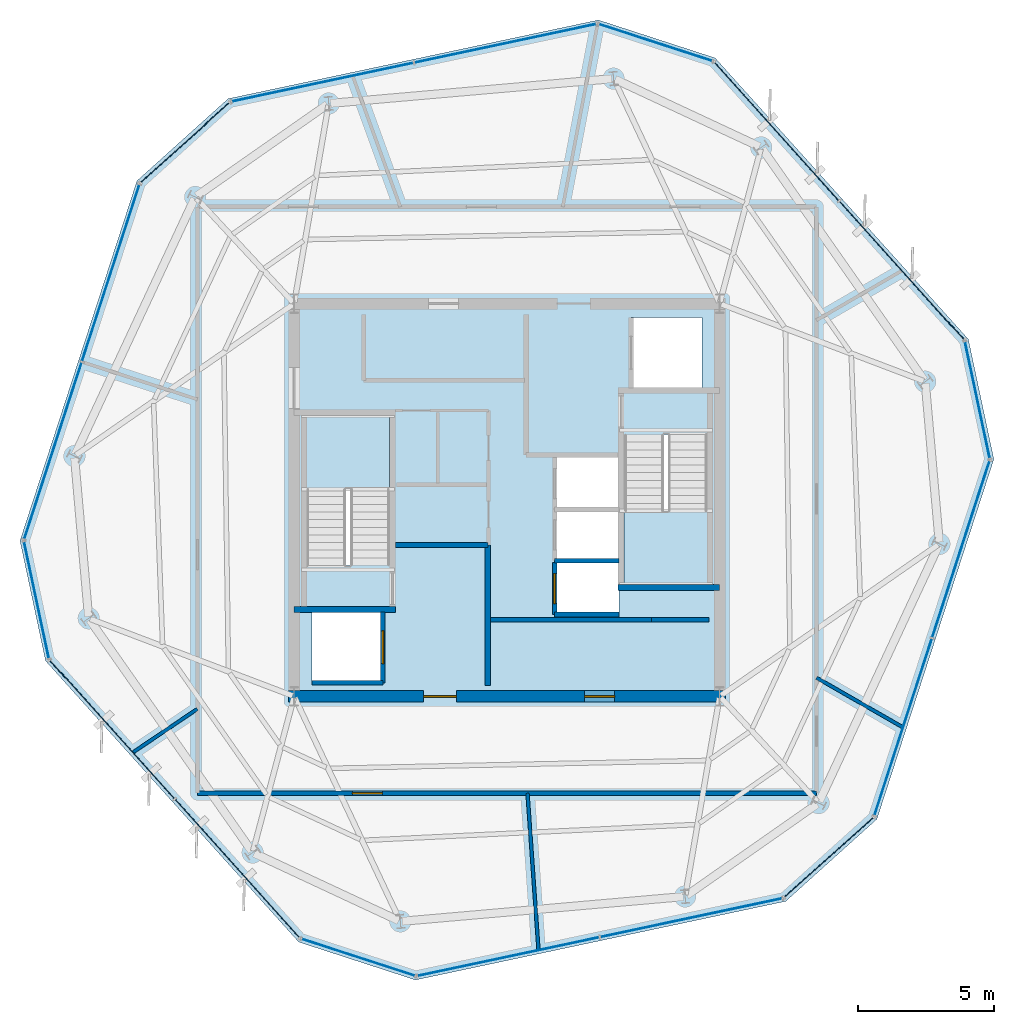
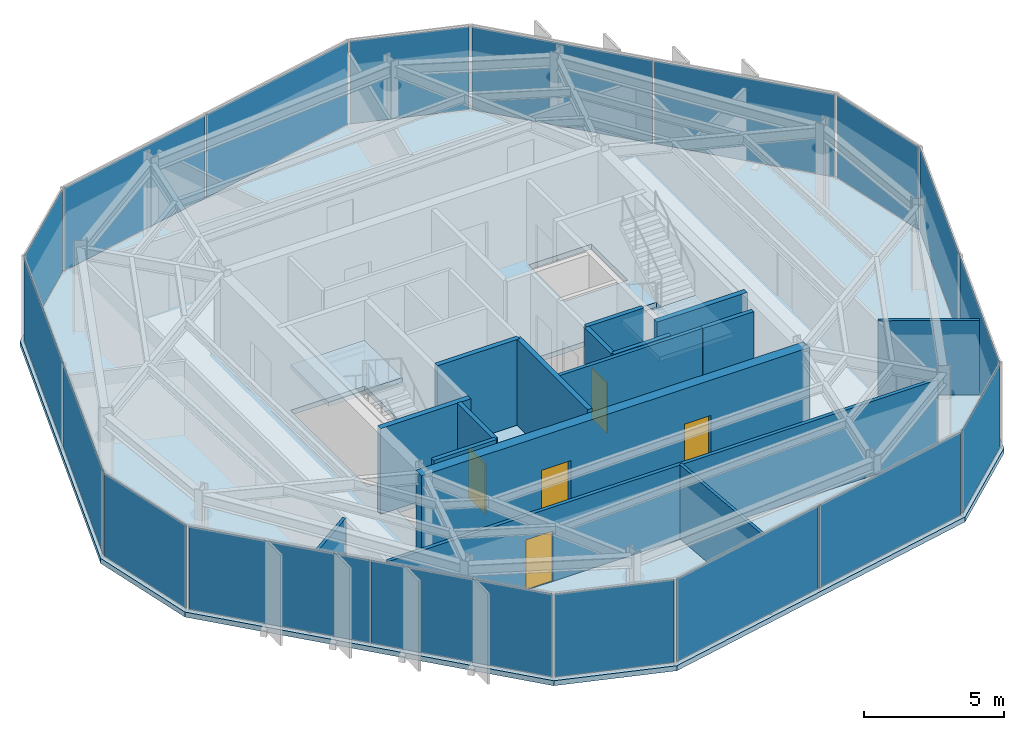
# One storey, part 7 of 13: 18 plates, 16 walls, 5 doors, 3 slabs, 5 openings, 14 elements without a shape of their own.
"""IFC4 building model written with IfcOpenShell, lengths in metres."""

from ifc_helpers import new_model, si_unit, direction, frame, frame_2d, origin, origin_2d, place, context, subcontext, project, spatial, polyline, rectangle, outline, extrude, material, layer, layer_set, type_object, element, fill, aggregate, save


model = new_model("IFC4")

# Units and contexts
model_context = context("Model", 3, precision=1e-05, world=origin(), true_north=direction((0.0, 1.0)))
body_context = subcontext(model_context, "Body", "Model", "MODEL_VIEW")
ifc_project = project(units=[si_unit("LENGTHUNIT", "METRE"), si_unit("AREAUNIT", "SQUARE_METRE"), si_unit("VOLUMEUNIT", "CUBIC_METRE"), si_unit("PLANEANGLEUNIT", "RADIAN"), si_unit("MASSUNIT", "GRAM", prefix="KILO")], contexts=[model_context])

# Site, building, storey
site_placement = place(None, origin())
site = spatial("IfcSite", under=ifc_project, at=site_placement, CompositionType="ELEMENT")
building_placement = place(site_placement, origin())
building = spatial("IfcBuilding", under=site, at=building_placement, Name="Kranzbogen Civic Tower", CompositionType="ELEMENT")
storey_placement = place(building_placement, frame((0.0, 0.0, 314.199951171875)))
storey = spatial("IfcBuildingStorey", under=building, at=storey_placement, Name="L76", CompositionType="ELEMENT", Elevation=314.199951171875)

# Slab
ifc_material_1 = material(Name="Concrete C40/50", Category="concrete")
ifc_layer_1 = layer(ifc_material_1, 0.219970703125, Name="Concrete C40/50")
ifc_layer_set_1 = layer_set([ifc_layer_1], Name="Concrete C40/50")
slab_type_1 = type_object("IfcSlabType", Name="Composite Upper Tower Floor Slab 220 mm", PredefinedType="FLOOR", material=ifc_layer_set_1)
slab_1_placement = place(storey_placement, frame((0.0, 0.0, -0.219970703125)))
element("IfcSlab", 1, at=slab_1_placement, inside=storey, type_object=slab_type_1, Name="L76 tower floor slab", PredefinedType="FLOOR", context=body_context, shape_type="SweptSolid", body=[
    extrude(outline(polyline([(28.35205078125, 42.597900390625), (14.780029296875, 39.712890625), (11.43603515625, 36.701904296875), (7.14794921875, 23.506103515625), (8.083984375, 19.10400390625), (17.367919921875, 8.79296875), (21.64794921875, 7.402099609375), (35.219970703125, 10.287109375), (38.56396484375, 13.298095703125), (42.85205078125, 26.493896484375), (41.916015625, 30.89599609375), (32.632080078125, 41.20703125), (28.35205078125, 42.597900390625)]), holes=[polyline([(17.85009765625, 20.89990234375), (20.449951171875, 20.89990234375), (20.449951171875, 18.300048828125), (17.85009765625, 18.300048828125), (17.85009765625, 20.89990234375)]), polyline([(29.10009765625, 22.699951171875), (29.10009765625, 20.800048828125), (26.75, 20.800048828125), (26.75, 22.699951171875), (29.10009765625, 22.699951171875)]), polyline([(29.10009765625, 24.64990234375), (29.10009765625, 22.77490234375), (26.75, 22.77490234375), (26.75, 24.64990234375), (26.75, 24.675048828125), (26.75, 26.550048828125), (29.10009765625, 26.550048828125), (29.10009765625, 24.675048828125), (29.10009765625, 24.64990234375)]), polyline([(29.300048828125, 27.340087890625), (30.75, 27.340087890625), (30.75, 27.39990234375), (32.35009765625, 27.39990234375), (32.35009765625, 21.89990234375), (29.300048828125, 21.89990234375), (29.300048828125, 27.340087890625)]), polyline([(20.699951171875, 22.659912109375), (19.25, 22.659912109375), (19.25, 22.60009765625), (17.64990234375, 22.60009765625), (17.64990234375, 28.10009765625), (20.699951171875, 28.10009765625), (20.699951171875, 22.659912109375)]), polyline([(32.14990234375, 31.699951171875), (32.14990234375, 29.10009765625), (29.550048828125, 29.10009765625), (29.550048828125, 31.699951171875), (32.14990234375, 31.699951171875)])]), origin(), (0.0, 0.0, 1.0), 0.219970703125),
])

# Curtain wall, plate
ifc_material_2 = material(Name="Pale Anodised Aluminium", Category="aluminium")
ifc_layer_2 = layer(ifc_material_2, 0.219970703125, Name="Pale Anodised Aluminium")
ifc_layer_set_2 = layer_set([ifc_layer_2], Name="Pale Anodised Aluminium")
curtain_wall_type_1 = type_object("IfcCurtainWallType", Name="Chamfer Facet Stick Curtain Wall System CW-06", PredefinedType="USERDEFINED", material=ifc_layer_set_2)
curtain_wall_1_placement = place(storey_placement, origin())
curtain_wall_1 = element("IfcCurtainWall", 2, at=curtain_wall_1_placement, inside=storey, type_object=curtain_wall_type_1, Name="L76 curtain wall CW-L76-C1", ObjectType="STICK CURTAIN WALL", PredefinedType="USERDEFINED")
ifc_material_3 = material(Name="Low-E Triple Glazing Glass", Category="glass")
ifc_layer_3 = layer(ifc_material_3, 0.02587890625, Name="Low-E Triple Glazing Glass")
ifc_layer_set_3 = layer_set([ifc_layer_3], Name="Low-E Triple Glazing Glass")
plate_type_1 = type_object("IfcPlateType", Name="Insulated Low-E Glazing Panel 26 mm", PredefinedType="CURTAIN_PANEL", material=ifc_layer_set_3)
plate_1_placement = place(storey_placement, frame((13.200927734375, 38.1044921875, 0.06005859375), z_axis=(0.0, 0.0, 1.0), x_axis=(-0.743205037915, -0.669063727621, 0.0)))
plate_1 = element("IfcPlate", 3, at=plate_1_placement, type_object=plate_type_1, Name="CW-06 panel 1.1", PredefinedType="CURTAIN_PANEL", context=body_context, shape_type="SweptSolid", body=[
    extrude(rectangle(XDim=4.344482421875, YDim=0.028076171875, at=origin_2d()), origin(), (0.0, 0.0, 1.0), 3.6201171875),
])
aggregate(curtain_wall_1, [plate_1])

curtain_wall_2_placement = place(storey_placement, origin())
curtain_wall_2 = element("IfcCurtainWall", 4, at=curtain_wall_2_placement, inside=storey, type_object=curtain_wall_type_1, Name="L76 curtain wall CW-L76-C2", ObjectType="STICK CURTAIN WALL", PredefinedType="USERDEFINED")
plate_2_placement = place(storey_placement, frame((7.751953125, 21.333984375, 0.06005859375), z_axis=(0.0, 0.0, 1.0), x_axis=(0.207815902792, -0.978167956205, 0.0)))
plate_2 = element("IfcPlate", 5, at=plate_2_placement, type_object=plate_type_1, Name="CW-06 panel 1.1", PredefinedType="CURTAIN_PANEL", context=body_context, shape_type="SweptSolid", body=[
    extrude(rectangle(XDim=4.345458984375, YDim=0.028076171875, at=origin_2d()), origin(), (0.0, 0.0, 1.0), 3.6201171875),
])
aggregate(curtain_wall_2, [plate_2])

curtain_wall_3_placement = place(storey_placement, origin())
curtain_wall_3 = element("IfcCurtainWall", 6, at=curtain_wall_3_placement, inside=storey, type_object=curtain_wall_type_1, Name="L76 curtain wall CW-L76-C3", ObjectType="STICK CURTAIN WALL", PredefinedType="USERDEFINED")
plate_3_placement = place(storey_placement, frame((19.551025390625, 8.22998046875, 0.06005859375), z_axis=(0.0, 0.0, 1.0), x_axis=(0.951030776673, -0.309096201564, 0.0)))
plate_3 = element("IfcPlate", 7, at=plate_3_placement, type_object=plate_type_1, Name="CW-06 panel 1.1", PredefinedType="CURTAIN_PANEL", context=body_context, shape_type="SweptSolid", body=[
    extrude(rectangle(XDim=4.3447265625, YDim=0.028076171875, at=origin_2d()), origin(), (0.0, 0.0, 1.0), 3.6201171875),
])
aggregate(curtain_wall_3, [plate_3])

curtain_wall_4_placement = place(storey_placement, origin())
curtain_wall_4 = element("IfcCurtainWall", 8, at=curtain_wall_4_placement, inside=storey, type_object=curtain_wall_type_1, Name="L76 curtain wall CW-L76-C4", ObjectType="STICK CURTAIN WALL", PredefinedType="USERDEFINED")
plate_4_placement = place(storey_placement, frame((36.799072265625, 11.8955078125, 0.06005859375), z_axis=(0.0, 0.0, 1.0), x_axis=(0.743205037915, 0.669063727621, 0.0)))
plate_4 = element("IfcPlate", 9, at=plate_4_placement, type_object=plate_type_1, Name="CW-06 panel 1.1", PredefinedType="CURTAIN_PANEL", context=body_context, shape_type="SweptSolid", body=[
    extrude(rectangle(XDim=4.344482421875, YDim=0.028076171875, at=origin_2d()), origin(), (0.0, 0.0, 1.0), 3.6201171875),
])
aggregate(curtain_wall_4, [plate_4])

curtain_wall_5_placement = place(storey_placement, origin())
curtain_wall_5 = element("IfcCurtainWall", 10, at=curtain_wall_5_placement, inside=storey, type_object=curtain_wall_type_1, Name="L76 curtain wall CW-L76-C5", ObjectType="STICK CURTAIN WALL", PredefinedType="USERDEFINED")
plate_5_placement = place(storey_placement, frame((42.248046875, 28.666015625, 0.06005859375), z_axis=(0.0, 0.0, 1.0), x_axis=(-0.207815902792, 0.978167956205, 0.0)))
plate_5 = element("IfcPlate", 11, at=plate_5_placement, type_object=plate_type_1, Name="CW-06 panel 1.1", PredefinedType="CURTAIN_PANEL", context=body_context, shape_type="SweptSolid", body=[
    extrude(rectangle(XDim=4.345458984375, YDim=0.028076171875, at=origin_2d()), origin(), (0.0, 0.0, 1.0), 3.6201171875),
])
aggregate(curtain_wall_5, [plate_5])

curtain_wall_6_placement = place(storey_placement, origin())
curtain_wall_6 = element("IfcCurtainWall", 12, at=curtain_wall_6_placement, inside=storey, type_object=curtain_wall_type_1, Name="L76 curtain wall CW-L76-C6", ObjectType="STICK CURTAIN WALL", PredefinedType="USERDEFINED")
plate_6_placement = place(storey_placement, frame((30.448974609375, 41.77001953125, 0.06005859375), z_axis=(0.0, 0.0, 1.0), x_axis=(-0.951030776673, 0.309096201564, 0.0)))
plate_6 = element("IfcPlate", 13, at=plate_6_placement, type_object=plate_type_1, Name="CW-06 panel 1.1", PredefinedType="CURTAIN_PANEL", context=body_context, shape_type="SweptSolid", body=[
    extrude(rectangle(XDim=4.3447265625, YDim=0.028076171875, at=origin_2d()), origin(), (0.0, 0.0, 1.0), 3.6201171875),
])
aggregate(curtain_wall_6, [plate_6])

# Curtain wall, plates
ifc_layer_4 = layer(ifc_material_2, 0.219970703125, Name="Pale Anodised Aluminium")
ifc_layer_set_4 = layer_set([ifc_layer_4], Name="Pale Anodised Aluminium")
curtain_wall_type_2 = type_object("IfcCurtainWallType", Name="Zone 4 Stick Curtain Wall System CW-05", PredefinedType="USERDEFINED", material=ifc_layer_set_4)
curtain_wall_7_placement = place(storey_placement, origin())
curtain_wall_7 = element("IfcCurtainWall", 14, at=curtain_wall_7_placement, inside=storey, type_object=curtain_wall_type_2, Name="L76 curtain wall CW-L76-F1", ObjectType="STICK CURTAIN WALL", PredefinedType="USERDEFINED")
ifc_layer_5 = layer(ifc_material_3, 0.028076171875, Name="Low-E Triple Glazing Glass")
ifc_layer_set_5 = layer_set([ifc_layer_5], Name="Low-E Triple Glazing Glass")
plate_type_2 = type_object("IfcPlateType", Name="Insulated Low-E Glazing Panel 28 mm", PredefinedType="CURTAIN_PANEL", material=ifc_layer_set_5)
plate_7_placement = place(storey_placement, frame((24.94482421875, 41.741455078125, 0.06005859375), z_axis=(0.0, 0.0, 1.0), x_axis=(-0.978151835177, -0.207891768333, 0.0)))
plate_7 = element("IfcPlate", 15, at=plate_7_placement, type_object=plate_type_2, Name="CW-05 panel 1.1", PredefinedType="CURTAIN_PANEL", context=body_context, shape_type="SweptSolid", body=[
    extrude(rectangle(XDim=6.79345703125, YDim=0.028076171875, at=origin_2d()), origin(), (0.0, 0.0, 1.0), 3.6201171875),
])
plate_8_placement = place(storey_placement, frame((18.2412109375, 40.316650390625, 0.06005859375), z_axis=(0.0, 0.0, 1.0), x_axis=(-0.978151835177, -0.207891768333, 0.0)))
plate_8 = element("IfcPlate", 16, at=plate_8_placement, type_object=plate_type_2, Name="CW-05 panel 2.1", PredefinedType="CURTAIN_PANEL", context=body_context, shape_type="SweptSolid", body=[
    extrude(rectangle(XDim=6.79345703125, YDim=0.028076171875, at=origin_2d()), origin(), (0.0, 0.0, 1.0), 3.6201171875),
])
aggregate(curtain_wall_7, [plate_7, plate_8])

curtain_wall_8_placement = place(storey_placement, origin())
curtain_wall_8 = element("IfcCurtainWall", 17, at=curtain_wall_8_placement, inside=storey, type_object=curtain_wall_type_2, Name="L76 curtain wall CW-L76-F2", ObjectType="STICK CURTAIN WALL", PredefinedType="USERDEFINED")
plate_9_placement = place(storey_placement, frame((10.473876953125, 33.323486328125, 0.06005859375), z_axis=(0.0, 0.0, 1.0), x_axis=(-0.309005589548, -0.951060221872, 0.0)))
plate_9 = element("IfcPlate", 18, at=plate_9_placement, type_object=plate_type_2, Name="CW-05 panel 1.1", PredefinedType="CURTAIN_PANEL", context=body_context, shape_type="SweptSolid", body=[
    extrude(rectangle(XDim=6.79345703125, YDim=0.028076171875, at=origin_2d()), origin(), (0.0, 0.0, 1.0), 3.6201171875),
])
plate_10_placement = place(storey_placement, frame((8.356201171875, 26.805419921875, 0.06005859375), z_axis=(0.0, 0.0, 1.0), x_axis=(-0.309005589548, -0.951060221872, 0.0)))
plate_10 = element("IfcPlate", 19, at=plate_10_placement, type_object=plate_type_2, Name="CW-05 panel 2.1", PredefinedType="CURTAIN_PANEL", context=body_context, shape_type="SweptSolid", body=[
    extrude(rectangle(XDim=6.79345703125, YDim=0.028076171875, at=origin_2d()), origin(), (0.0, 0.0, 1.0), 3.6201171875),
])
aggregate(curtain_wall_8, [plate_9, plate_10])

curtain_wall_9_placement = place(storey_placement, origin())
curtain_wall_9 = element("IfcCurtainWall", 20, at=curtain_wall_9_placement, inside=storey, type_object=curtain_wall_type_2, Name="L76 curtain wall CW-L76-F3", ObjectType="STICK CURTAIN WALL", PredefinedType="USERDEFINED")
plate_11_placement = place(storey_placement, frame((10.529052734375, 16.581298828125, 0.06005859375), z_axis=(0.0, 0.0, 1.0), x_axis=(0.669165371932, -0.743113520943, 0.0)))
plate_11 = element("IfcPlate", 21, at=plate_11_placement, type_object=plate_type_2, Name="CW-05 panel 1.1", PredefinedType="CURTAIN_PANEL", context=body_context, shape_type="SweptSolid", body=[
    extrude(rectangle(XDim=6.793212890625, YDim=0.028076171875, at=origin_2d()), origin(), (0.0, 0.0, 1.0), 3.6201171875),
])
plate_12_placement = place(storey_placement, frame((15.114990234375, 11.488525390625, 0.06005859375), z_axis=(0.0, 0.0, 1.0), x_axis=(0.669165371932, -0.743113520943, 0.0)))
plate_12 = element("IfcPlate", 22, at=plate_12_placement, type_object=plate_type_2, Name="CW-05 panel 2.1", PredefinedType="CURTAIN_PANEL", context=body_context, shape_type="SweptSolid", body=[
    extrude(rectangle(XDim=6.793212890625, YDim=0.028076171875, at=origin_2d()), origin(), (0.0, 0.0, 1.0), 3.6201171875),
])
aggregate(curtain_wall_9, [plate_11, plate_12])

curtain_wall_10_placement = place(storey_placement, origin())
curtain_wall_10 = element("IfcCurtainWall", 23, at=curtain_wall_10_placement, inside=storey, type_object=curtain_wall_type_2, Name="L76 curtain wall CW-L76-F4", ObjectType="STICK CURTAIN WALL", PredefinedType="USERDEFINED")
plate_13_placement = place(storey_placement, frame((25.05517578125, 8.258544921875, 0.06005859375), z_axis=(0.0, 0.0, 1.0), x_axis=(0.978151835177, 0.207891768333, 0.0)))
plate_13 = element("IfcPlate", 24, at=plate_13_placement, type_object=plate_type_2, Name="CW-05 panel 1.1", PredefinedType="CURTAIN_PANEL", context=body_context, shape_type="SweptSolid", body=[
    extrude(rectangle(XDim=6.79345703125, YDim=0.028076171875, at=origin_2d()), origin(), (0.0, 0.0, 1.0), 3.6201171875),
])
plate_14_placement = place(storey_placement, frame((31.7587890625, 9.683349609375, 0.06005859375), z_axis=(0.0, 0.0, 1.0), x_axis=(0.978151835177, 0.207891768333, 0.0)))
plate_14 = element("IfcPlate", 25, at=plate_14_placement, type_object=plate_type_2, Name="CW-05 panel 2.1", PredefinedType="CURTAIN_PANEL", context=body_context, shape_type="SweptSolid", body=[
    extrude(rectangle(XDim=6.79345703125, YDim=0.028076171875, at=origin_2d()), origin(), (0.0, 0.0, 1.0), 3.6201171875),
])
aggregate(curtain_wall_10, [plate_13, plate_14])

curtain_wall_11_placement = place(storey_placement, origin())
curtain_wall_11 = element("IfcCurtainWall", 26, at=curtain_wall_11_placement, inside=storey, type_object=curtain_wall_type_2, Name="L76 curtain wall CW-L76-F5", ObjectType="STICK CURTAIN WALL", PredefinedType="USERDEFINED")
plate_15_placement = place(storey_placement, frame((39.526123046875, 16.676513671875, 0.06005859375), z_axis=(0.0, 0.0, 1.0), x_axis=(0.309005589548, 0.951060221872, 0.0)))
plate_15 = element("IfcPlate", 27, at=plate_15_placement, type_object=plate_type_2, Name="CW-05 panel 1.1", PredefinedType="CURTAIN_PANEL", context=body_context, shape_type="SweptSolid", body=[
    extrude(rectangle(XDim=6.79345703125, YDim=0.028076171875, at=origin_2d()), origin(), (0.0, 0.0, 1.0), 3.6201171875),
])
plate_16_placement = place(storey_placement, frame((41.643798828125, 23.194580078125, 0.06005859375), z_axis=(0.0, 0.0, 1.0), x_axis=(0.309005589548, 0.951060221872, 0.0)))
plate_16 = element("IfcPlate", 28, at=plate_16_placement, type_object=plate_type_2, Name="CW-05 panel 2.1", PredefinedType="CURTAIN_PANEL", context=body_context, shape_type="SweptSolid", body=[
    extrude(rectangle(XDim=6.79345703125, YDim=0.028076171875, at=origin_2d()), origin(), (0.0, 0.0, 1.0), 3.6201171875),
])
aggregate(curtain_wall_11, [plate_15, plate_16])

curtain_wall_12_placement = place(storey_placement, origin())
curtain_wall_12 = element("IfcCurtainWall", 29, at=curtain_wall_12_placement, inside=storey, type_object=curtain_wall_type_2, Name="L76 curtain wall CW-L76-F6", ObjectType="STICK CURTAIN WALL", PredefinedType="USERDEFINED")
plate_17_placement = place(storey_placement, frame((39.470947265625, 33.418701171875, 0.06005859375), z_axis=(0.0, 0.0, 1.0), x_axis=(-0.669165371932, 0.743113520943, 0.0)))
plate_17 = element("IfcPlate", 30, at=plate_17_placement, type_object=plate_type_2, Name="CW-05 panel 1.1", PredefinedType="CURTAIN_PANEL", context=body_context, shape_type="SweptSolid", body=[
    extrude(rectangle(XDim=6.793212890625, YDim=0.028076171875, at=origin_2d()), origin(), (0.0, 0.0, 1.0), 3.6201171875),
])
plate_18_placement = place(storey_placement, frame((34.885009765625, 38.511474609375, 0.06005859375), z_axis=(0.0, 0.0, 1.0), x_axis=(-0.669165371932, 0.743113520943, 0.0)))
plate_18 = element("IfcPlate", 31, at=plate_18_placement, type_object=plate_type_2, Name="CW-05 panel 2.1", PredefinedType="CURTAIN_PANEL", context=body_context, shape_type="SweptSolid", body=[
    extrude(rectangle(XDim=6.793212890625, YDim=0.028076171875, at=origin_2d()), origin(), (0.0, 0.0, 1.0), 3.6201171875),
])
aggregate(curtain_wall_12, [plate_17, plate_18])

# Stair, slab
ifc_material_4 = material(Name="Precast concrete C40/50", Category="concrete")
stair_type_1 = type_object("IfcStairType", Name="Tower Core Pressurized Dogleg Stair 1450", PredefinedType="HALF_TURN_STAIR", material=ifc_material_4)
stair_1_placement = place(storey_placement, origin())
stair_1 = element("IfcStair", 32, at=stair_1_placement, inside=storey, type_object=stair_type_1, Name="L76 Tower Core Pressurized Stair 1", PredefinedType="HALF_TURN_STAIR")
ifc_layer_6 = layer(ifc_material_4, 0.199951171875, Name="Precast concrete C40/50")
ifc_layer_set_6 = layer_set([ifc_layer_6], Name="Precast concrete C40/50")
slab_type_2 = type_object("IfcSlabType", Name="Precast Concrete Stair Landing Slab 200 mm", PredefinedType="LANDING", material=ifc_layer_set_6)
slab_2_placement = place(storey_placement, frame((0.0, 0.0, 1.800048828125)))
slab_2 = element("IfcSlab", 33, at=slab_2_placement, type_object=slab_type_2, Name="ST-T1 landing 1", PredefinedType="LANDING", context=body_context, shape_type="SweptSolid", body=[
    extrude(outline(polyline([(20.699951171875, 25.39990234375), (20.699951171875, 28.10009765625), (17.64990234375, 28.10009765625), (17.64990234375, 25.39990234375), (20.699951171875, 25.39990234375)])), origin(), (0.0, 0.0, 1.0), 0.199951171875),
])
aggregate(stair_1, [slab_2])

stair_type_2 = type_object("IfcStairType", Name="Tower Core Secondary Dogleg Stair 1450", PredefinedType="HALF_TURN_STAIR", material=ifc_material_4)
stair_2_placement = place(storey_placement, origin())
stair_2 = element("IfcStair", 34, at=stair_2_placement, inside=storey, type_object=stair_type_2, Name="L76 Tower Core Pressurized Stair 2", PredefinedType="HALF_TURN_STAIR")
slab_3_placement = place(storey_placement, frame((0.0, 0.0, 1.800048828125)))
slab_3 = element("IfcSlab", 35, at=slab_3_placement, type_object=slab_type_2, Name="ST-T2 landing 1", PredefinedType="LANDING", context=body_context, shape_type="SweptSolid", body=[
    extrude(outline(polyline([(29.300048828125, 24.60009765625), (29.300048828125, 21.89990234375), (32.35009765625, 21.89990234375), (32.35009765625, 24.60009765625), (29.300048828125, 24.60009765625)])), origin(), (0.0, 0.0, 1.0), 0.199951171875),
])
aggregate(stair_2, [slab_3])

# Wall
ifc_material_5 = material(Name="Double-Stud Acoustic Gypsum Partition")
ifc_layer_7 = layer(ifc_material_5, 0.14990234375, Name="Double-Stud Acoustic Gypsum Partition")
ifc_layer_set_7 = layer_set([ifc_layer_7], Name="Double-Stud Acoustic Gypsum Partition")
wall_type_1 = type_object("IfcWallType", Name="Acoustic Corridor and Clinical Partition 150 mm", PredefinedType="PARTITIONING", material=ifc_layer_set_7)
wall_1_placement = place(storey_placement, frame((24.39990234375, 20.610107421875, 0.0), z_axis=(0.0, 0.0, 1.0), x_axis=(1.0, 0.0, 0.0)))
element("IfcWall", 36, at=wall_1_placement, inside=storey, type_object=wall_type_1, Name="L76 records zone North wall", PredefinedType="PARTITIONING", context=body_context, shape_type="SweptSolid", body=[
    extrude(rectangle(XDim=5.900146484375, YDim=0.14990234375, at=frame_2d((2.9501953125, 0.0))), origin(), (0.0, 0.0, 1.0), 3.739990234375),
])

# Wall, opening, door
wall_2_placement = place(storey_placement, frame((36.35009765625, 14.25, 0.0), z_axis=(0.0, 0.0, 1.0), x_axis=(-1.0, 0.0, 0.0)))
wall_2 = element("IfcWall", 37, at=wall_2_placement, inside=storey, type_object=wall_type_1, Name="L76 corridor partition 03", PredefinedType="PARTITIONING", context=body_context, shape_type="SweptSolid", body=[
    extrude(rectangle(XDim=22.7001953125, YDim=0.14990234375, at=frame_2d((11.35009765625, 0.0))), origin(), (0.0, 0.0, 1.0), 3.239990234375),
])
opening_1_placement = place(wall_2_placement, frame((15.912109375, 0.0, 0.0)))
opening_1 = element("IfcOpeningElement", 38, at=opening_1_placement, cuts=wall_2, Name="Opening D-COR60", PredefinedType="OPENING", context=body_context, shape_type="SweptSolid", body=[
    extrude(rectangle(XDim=1.10009765625, YDim=2.199951171875, at=frame_2d((0.550048828125, 1.10009765625))), frame((0.0, 0.0849609375, 0.0), z_axis=(0.0, -1.0, 0.0), x_axis=(1.0, 0.0, 0.0)), (0.0, 0.0, 1.0), 0.169921875),
])
ifc_material_6 = material(Name="Oak Timber and Fire Core", Category="wood")
door_type_1 = type_object("IfcDoorType", Name="Corridor Acoustic Fire Door 1100x2200", OperationType="NOTDEFINED", PredefinedType="DOOR", material=ifc_material_6)
door_1_placement = place(opening_1_placement, origin())
door_1 = element("IfcDoor", 39, at=door_1_placement, inside=storey, type_object=door_type_1, Name="L76 Central Mail Post Room door", OperationType="SINGLE_SWING_LEFT", OverallHeight=2.199951171875, OverallWidth=1.10009765625, PredefinedType="DOOR", context=body_context, shape_type="SweptSolid", body=[
    extrude(rectangle(XDim=1.10009765625, YDim=2.199951171875, at=frame_2d((0.550048828125, 1.10009765625))), frame((0.0, 0.02490234375, 0.0), z_axis=(0.0, -1.0, 0.0), x_axis=(1.0, 0.0, 0.0)), (0.0, 0.0, 1.0), 0.050048828125),
])
fill(opening_1, door_1)

# Walls
ifc_material_7 = material(Name="Insulated Metal-Stud Gypsum Partition")
ifc_layer_8 = layer(ifc_material_7, 0.125, Name="Insulated Metal-Stud Gypsum Partition")
ifc_layer_set_8 = layer_set([ifc_layer_8], Name="Insulated Metal-Stud Gypsum Partition")
wall_type_2 = type_object("IfcWallType", Name="Acoustic Inter-Room Partition 125 mm", PredefinedType="PARTITIONING", material=ifc_layer_set_8)
wall_3_placement = place(storey_placement, frame((13.64990234375, 17.340087890625, 0.0), z_axis=(0.0, 0.0, 1.0), x_axis=(-0.828847677001, -0.559474332146, 0.0)))
element("IfcWall", 40, at=wall_3_placement, inside=storey, type_object=wall_type_2, Name="L76 radial room partition 03", PredefinedType="PARTITIONING", context=body_context, shape_type="SweptSolid", body=[
    extrude(rectangle(XDim=2.838623046875, YDim=0.125, at=frame_2d((1.41943359375, 0.0))), origin(), (0.0, 0.0, 1.0), 3.239990234375),
])
wall_4_placement = place(storey_placement, frame((25.75390625, 14.25, 0.0), z_axis=(0.0, 0.0, 1.0), x_axis=(0.070038089252, -0.99754431784, 0.0)))
element("IfcWall", 41, at=wall_4_placement, inside=storey, type_object=wall_type_2, Name="L76 radial room partition 04", PredefinedType="PARTITIONING", context=body_context, shape_type="SweptSolid", body=[
    extrude(rectangle(XDim=5.755126953125, YDim=0.125, at=frame_2d((2.87744140625, 0.0))), origin(), (0.0, 0.0, 1.0), 3.239990234375),
])
wall_5_placement = place(storey_placement, frame((36.35009765625, 18.48388671875, 0.0), z_axis=(0.0, 0.0, 1.0), x_axis=(0.867242910884, -0.497885261401, 0.0)))
element("IfcWall", 42, at=wall_5_placement, inside=storey, type_object=wall_type_2, Name="L76 radial room partition 05", PredefinedType="PARTITIONING", context=body_context, shape_type="SweptSolid", body=[
    extrude(rectangle(XDim=3.641357421875, YDim=0.125, at=frame_2d((1.82080078125, 0.0))), origin(), (0.0, 0.0, 1.0), 3.239990234375),
])

# Wall, openings, doors
ifc_material_8 = material(Name="Concrete C45/55", Category="concrete")
ifc_layer_9 = layer(ifc_material_8, 0.419921875, Name="Concrete C45/55")
ifc_layer_set_9 = layer_set([ifc_layer_9], Name="Concrete C45/55")
wall_type_3 = type_object("IfcWallType", Name="Central Core Shear Wall 420 mm", PredefinedType="SHEAR", material=ifc_layer_set_9)
wall_6_placement = place(storey_placement, frame((16.989990234375, 17.800048828125, 0.0), z_axis=(0.0, 0.0, 1.0), x_axis=(1.0, 0.0, 0.0)))
wall_6 = element("IfcWall", 43, at=wall_6_placement, inside=storey, type_object=wall_type_3, Name="L76 central core South shear wall", PredefinedType="SHEAR", context=body_context, shape_type="SweptSolid", body=[
    extrude(rectangle(XDim=16.02001953125, YDim=0.419921875, at=frame_2d((8.010009765625, 0.0))), origin(), (0.0, 0.0, 1.0), 3.739990234375),
])
opening_2_placement = place(wall_6_placement, frame((4.9599609375, 0.0, 0.0)))
opening_2 = element("IfcOpeningElement", 44, at=opening_2_placement, cuts=wall_6, Name="Opening D-EX120", PredefinedType="OPENING", context=body_context, shape_type="SweptSolid", body=[
    extrude(rectangle(XDim=1.199951171875, YDim=2.25, at=frame_2d((0.60009765625, 1.125))), frame((0.0, 0.219970703125, 0.0), z_axis=(0.0, -1.0, 0.0), x_axis=(1.0, 0.0, 0.0)), (0.0, 0.0, 1.0), 0.43994140625),
])
opening_3_placement = place(wall_6_placement, frame((10.860107421875, 0.0, 0.0)))
opening_3 = element("IfcOpeningElement", 45, at=opening_3_placement, cuts=wall_6, Name="Opening D-COR60", PredefinedType="OPENING", context=body_context, shape_type="SweptSolid", body=[
    extrude(rectangle(XDim=1.10009765625, YDim=2.199951171875, at=frame_2d((0.550048828125, 1.10009765625))), frame((0.0, 0.219970703125, 0.0), z_axis=(0.0, -1.0, 0.0), x_axis=(1.0, 0.0, 0.0)), (0.0, 0.0, 1.0), 0.43994140625),
])
door_2_placement = place(opening_3_placement, origin())
door_2 = element("IfcDoor", 46, at=door_2_placement, inside=storey, type_object=door_type_1, Name="L76 REC1 archive room door", OperationType="SINGLE_SWING_RIGHT", OverallHeight=2.199951171875, OverallWidth=1.10009765625, PredefinedType="DOOR", context=body_context, shape_type="SweptSolid", body=[
    extrude(rectangle(XDim=1.10009765625, YDim=2.199951171875, at=frame_2d((0.550048828125, 1.10009765625))), frame((0.0, 0.02490234375, 0.0), z_axis=(0.0, -1.0, 0.0), x_axis=(1.0, 0.0, 0.0)), (0.0, 0.0, 1.0), 0.050048828125),
])
fill(opening_3, door_2)
ifc_material_9 = material(Name="Steel S355", Category="steel")
door_type_2 = type_object("IfcDoorType", Name="Exit Passageway Fire Door 1200x2250", OperationType="NOTDEFINED", PredefinedType="DOOR", material=ifc_material_9)
door_3_placement = place(opening_2_placement, origin())
door_3 = element("IfcDoor", 47, at=door_3_placement, inside=storey, type_object=door_type_2, Name="L76 West firefighting lobby corridor door", OperationType="SINGLE_SWING_LEFT", OverallHeight=2.25, OverallWidth=1.199951171875, PredefinedType="DOOR", context=body_context, shape_type="SweptSolid", body=[
    extrude(rectangle(XDim=1.199951171875, YDim=2.25, at=frame_2d((0.60009765625, 1.125))), frame((0.0, 0.02490234375, 0.0), z_axis=(0.0, -1.0, 0.0), x_axis=(1.0, 0.0, 0.0)), (0.0, 0.0, 1.0), 0.050048828125),
])
fill(opening_2, door_3)

# Walls
ifc_layer_10 = layer(ifc_material_8, 0.219970703125, Name="Concrete C45/55")
ifc_layer_set_10 = layer_set([ifc_layer_10], Name="Concrete C45/55")
wall_type_4 = type_object("IfcWallType", Name="Core Internal Stair Structural Wall 220 mm", PredefinedType="SOLIDWALL", material=ifc_layer_set_10)
for number, where, z_axis, x_axis, name in (
    (48, (17.199951171875, 20.989990234375, 0.0), (0.0, 0.0, 1.0), (1.0, 0.0, 0.0), "L76 ST-T1 South structural stair wall"),
    (49, (29.080078125, 21.7900390625, 0.0), (0.0, 0.0, 1.0), (1.0, 0.0, 0.0), "L76 ST-T2 South structural stair wall"),
):
    element("IfcWall", number, at=place(storey_placement, frame(where, z_axis=z_axis, x_axis=x_axis)), inside=storey, type_object=wall_type_4, Name=name, PredefinedType="SOLIDWALL", context=body_context, shape_type="SweptSolid", body=[
        extrude(rectangle(XDim=3.719970703125, YDim=0.219970703125, at=frame_2d((1.85986328125, 0.0))), origin(), (0.0, 0.0, 1.0), 3.739990234375),
    ])
ifc_material_10 = material(Name="Gypsum Fireboard and Concrete Block", Category="concrete")
ifc_layer_11 = layer(ifc_material_10, 0.199951171875, Name="Gypsum Fireboard and Concrete Block")
ifc_layer_set_11 = layer_set([ifc_layer_11], Name="Gypsum Fireboard and Concrete Block")
wall_type_5 = type_object("IfcWallType", Name="Fire-Rated Exit Passageway and Stair Wall 200 mm", PredefinedType="PARTITIONING", material=ifc_layer_set_11)
wall_7_placement = place(storey_placement, frame((24.300048828125, 18.199951171875, 0.0), z_axis=(0.0, 0.0, 1.0), x_axis=(0.0, 1.0, 0.0)))
element("IfcWall", 50, at=wall_7_placement, inside=storey, type_object=wall_type_5, Name="L76 West firefighting lobby East wall", PredefinedType="PARTITIONING", context=body_context, shape_type="SweptSolid", body=[
    extrude(rectangle(XDim=5.150146484375, YDim=0.199951171875, at=frame_2d((2.5751953125, 0.0))), origin(), (0.0, 0.0, 1.0), 3.739990234375),
])
wall_8_placement = place(storey_placement, frame((20.919921875, 23.35009765625, 0.0), z_axis=(0.0, 0.0, 1.0), x_axis=(1.0, 0.0, 0.0)))
element("IfcWall", 51, at=wall_8_placement, inside=storey, type_object=wall_type_5, Name="L76 West firefighting lobby North wall", PredefinedType="PARTITIONING", context=body_context, shape_type="SweptSolid", body=[
    extrude(rectangle(XDim=3.380126953125, YDim=0.199951171875, at=frame_2d((1.68994140625, 0.0))), origin(), (0.0, 0.0, 1.0), 3.739990234375),
])
ifc_material_11 = material(Name="Gypsum Fireboard Shaftliner")
ifc_layer_12 = layer(ifc_material_11, 0.175048828125, Name="Gypsum Fireboard Shaftliner")
ifc_layer_set_12 = layer_set([ifc_layer_12], Name="Gypsum Fireboard Shaftliner")
wall_type_6 = type_object("IfcWallType", Name="Fire-Rated Lift and Service Shaft Wall 175 mm", PredefinedType="PARTITIONING", material=ifc_layer_set_12)
wall_9_placement = place(storey_placement, frame((30.300048828125, 20.610107421875, 0.0), z_axis=(0.0, 0.0, 1.0), x_axis=(1.0, 0.0, 0.0)))
element("IfcWall", 52, at=wall_9_placement, inside=storey, type_object=wall_type_6, Name="L76 merged archive North wall", PredefinedType="PARTITIONING", context=body_context, shape_type="SweptSolid", body=[
    extrude(rectangle(XDim=2.099853515625, YDim=0.175048828125, at=frame_2d((1.0498046875, 0.0))), origin(), (0.0, 0.0, 1.0), 3.739990234375),
])

# Wall, opening, door
wall_10_placement = place(storey_placement, frame((26.75, 20.800048828125, 0.0), z_axis=(0.0, 0.0, 1.0), x_axis=(0.0, 1.0, 0.0)))
wall_10 = element("IfcWall", 53, at=wall_10_placement, inside=storey, type_object=wall_type_6, Name="L76 lift HP-01 landing wall", PredefinedType="PARTITIONING", context=body_context, shape_type="SweptSolid", body=[
    extrude(rectangle(XDim=1.89990234375, YDim=0.175048828125, at=frame_2d((0.949951171875, 0.0))), origin(), (0.0, 0.0, 1.0), 3.739990234375),
])
opening_4_placement = place(wall_10_placement, frame((0.39990234375, 0.0, 0.0)))
opening_4 = element("IfcOpeningElement", 54, at=opening_4_placement, cuts=wall_10, Name="Opening LD-HP-01", PredefinedType="OPENING", context=body_context, shape_type="SweptSolid", body=[
    extrude(rectangle(XDim=1.10009765625, YDim=2.199951171875, at=frame_2d((0.550048828125, 1.10009765625))), frame((0.0, 0.09765625, 0.0), z_axis=(0.0, -1.0, 0.0), x_axis=(1.0, 0.0, 0.0)), (0.0, 0.0, 1.0), 0.195068359375),
])
door_type_3 = type_object("IfcDoorType", Name="Passenger Lift Sliding Landing Door 1100x2200", OperationType="DOUBLE_DOOR_SLIDING", PredefinedType="DOOR", material=ifc_material_2)
door_4_placement = place(opening_4_placement, origin())
door_4 = element("IfcDoor", 55, at=door_4_placement, inside=storey, type_object=door_type_3, Name="L76 lift HP-01 sliding landing door", OperationType="DOUBLE_DOOR_SLIDING", OverallHeight=2.199951171875, OverallWidth=1.10009765625, PredefinedType="DOOR", context=body_context, shape_type="SweptSolid", body=[
    extrude(rectangle(XDim=1.10009765625, YDim=2.199951171875, at=frame_2d((0.550048828125, 1.10009765625))), frame((0.0, 0.02490234375, 0.0), z_axis=(0.0, -1.0, 0.0), x_axis=(1.0, 0.0, 0.0)), (0.0, 0.0, 1.0), 0.050048828125),
])
fill(opening_4, door_4)

# Walls
for number, where, z_axis, x_axis, name in (
    (56, (26.75, 20.800048828125, 0.0), (0.0, 0.0, 1.0), (1.0, 0.0, 0.0), "L76 lift HP-01 side wall"),
    (57, (26.75, 22.77490234375, 0.0), (0.0, 0.0, 1.0), (1.0, 0.0, 0.0), "L76 lift HP-02 side wall"),
):
    element("IfcWall", number, at=place(storey_placement, frame(where, z_axis=z_axis, x_axis=x_axis)), inside=storey, type_object=wall_type_6, Name=name, PredefinedType="PARTITIONING", context=body_context, shape_type="SweptSolid", body=[
        extrude(rectangle(XDim=2.35009765625, YDim=0.175048828125, at=frame_2d((1.175048828125, 0.0))), origin(), (0.0, 0.0, 1.0), 3.739990234375),
    ])

# Wall, opening, door
wall_11_placement = place(storey_placement, frame((20.449951171875, 18.300048828125, 0.0), z_axis=(0.0, 0.0, 1.0), x_axis=(0.0, 1.0, 0.0)))
wall_11 = element("IfcWall", 58, at=wall_11_placement, inside=storey, type_object=wall_type_6, Name="L76 lift FF-01 landing wall", PredefinedType="PARTITIONING", context=body_context, shape_type="SweptSolid", body=[
    extrude(rectangle(XDim=2.599853515625, YDim=0.175048828125, at=frame_2d((1.2998046875, 0.0))), origin(), (0.0, 0.0, 1.0), 3.739990234375),
])
opening_5_placement = place(wall_11_placement, frame((0.699951171875, 0.0, 0.0)))
opening_5 = element("IfcOpeningElement", 59, at=opening_5_placement, cuts=wall_11, Name="Opening LD-FF-01", PredefinedType="OPENING", context=body_context, shape_type="SweptSolid", body=[
    extrude(rectangle(XDim=1.199951171875, YDim=2.199951171875, at=frame_2d((0.60009765625, 1.10009765625))), frame((0.0, 0.09765625, 0.0), z_axis=(0.0, -1.0, 0.0), x_axis=(1.0, 0.0, 0.0)), (0.0, 0.0, 1.0), 0.195068359375),
])
door_type_4 = type_object("IfcDoorType", Name="Firefighting and Stretcher Lift Sliding Landing Door 1200x2200", OperationType="DOUBLE_DOOR_SLIDING", PredefinedType="DOOR", material=ifc_material_2)
door_5_placement = place(opening_5_placement, origin())
door_5 = element("IfcDoor", 60, at=door_5_placement, inside=storey, type_object=door_type_4, Name="L76 lift FF-01 sliding landing door", OperationType="DOUBLE_DOOR_SLIDING", OverallHeight=2.199951171875, OverallWidth=1.199951171875, PredefinedType="DOOR", context=body_context, shape_type="SweptSolid", body=[
    extrude(rectangle(XDim=1.199951171875, YDim=2.199951171875, at=frame_2d((0.60009765625, 1.10009765625))), frame((0.0, 0.02490234375, 0.0), z_axis=(0.0, -1.0, 0.0), x_axis=(1.0, 0.0, 0.0)), (0.0, 0.0, 1.0), 0.050048828125),
])
fill(opening_5, door_5)

# Wall
wall_12_placement = place(storey_placement, frame((17.85009765625, 18.300048828125, 0.0), z_axis=(0.0, 0.0, 1.0), x_axis=(1.0, 0.0, 0.0)))
element("IfcWall", 61, at=wall_12_placement, inside=storey, type_object=wall_type_6, Name="L76 lift FF-01 side wall", PredefinedType="PARTITIONING", context=body_context, shape_type="SweptSolid", body=[
    extrude(rectangle(XDim=2.599853515625, YDim=0.175048828125, at=frame_2d((1.2998046875, 0.0))), origin(), (0.0, 0.0, 1.0), 3.739990234375),
])

save(model, "model.ifc")
